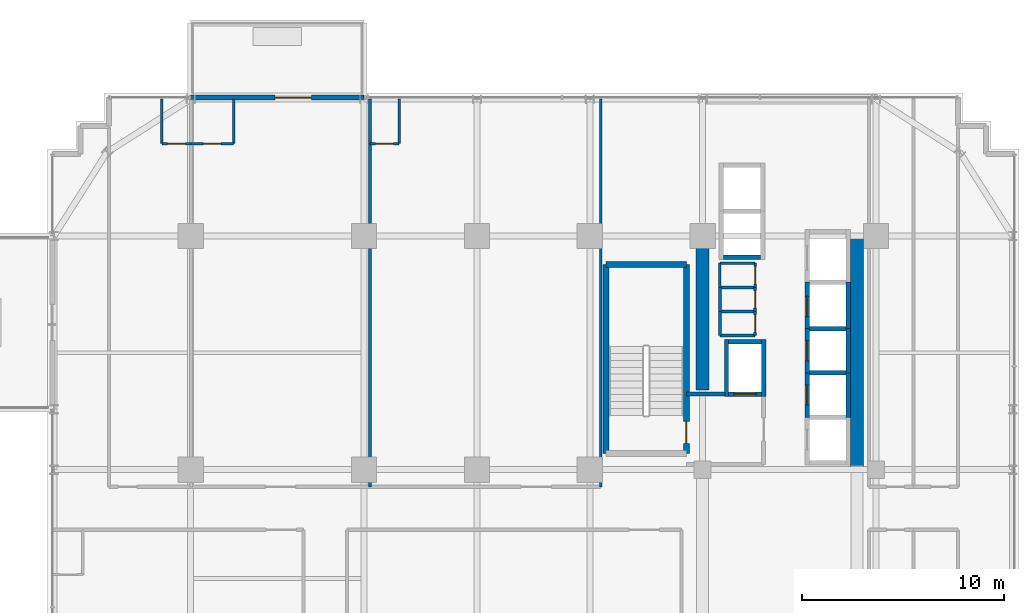
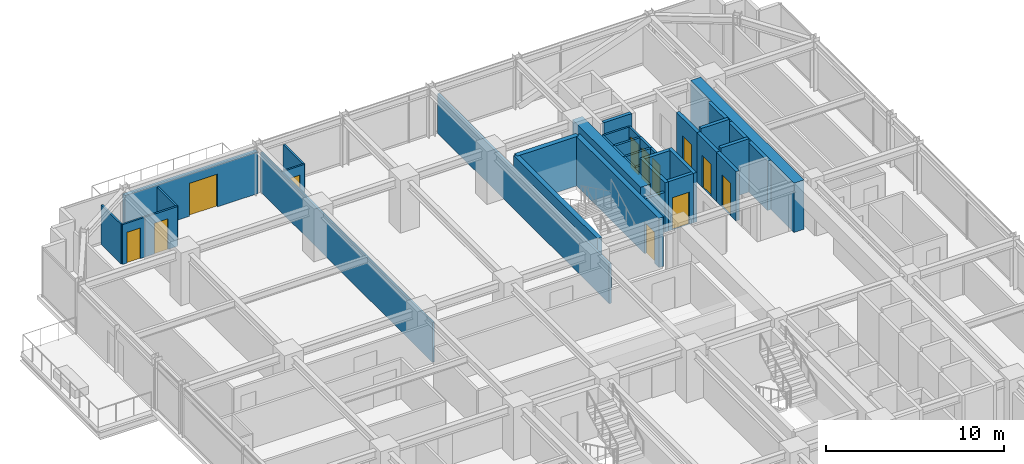
# One storey, part 30 of 35: 38 walls, 12 doors, 12 openings.
"""IFC4 building model written with IfcOpenShell, lengths in metres."""

from ifc_helpers import new_model, si_unit, direction, frame, frame_2d, origin, place, context, subcontext, project, spatial, rectangle, extrude, source, transform, mapped, material, layer, layer_set, type_object, element, fill, save


model = new_model("IFC4")

# Units and contexts
model_context = context("Model", 3, precision=1e-05, world=origin(), true_north=direction((0.0, 1.0)))
body_context = subcontext(model_context, "Body", "Model", "MODEL_VIEW")
ifc_project = project(units=[si_unit("LENGTHUNIT", "METRE"), si_unit("AREAUNIT", "SQUARE_METRE"), si_unit("VOLUMEUNIT", "CUBIC_METRE"), si_unit("PLANEANGLEUNIT", "RADIAN"), si_unit("MASSUNIT", "GRAM", prefix="KILO")], contexts=[model_context])

# Site, building, storey
site_placement = place(None, origin())
site = spatial("IfcSite", under=ifc_project, at=site_placement, CompositionType="ELEMENT")
building_placement = place(site_placement, origin())
building = spatial("IfcBuilding", under=site, at=building_placement, Name="Nahalor Promenade Grand Hotel", CompositionType="ELEMENT")
storey_placement = place(building_placement, frame((0.0, 0.0, 121.14990234375)))
storey = spatial("IfcBuildingStorey", under=building, at=storey_placement, Name="L30", CompositionType="ELEMENT", Elevation=121.14990234375)

# Walls
ifc_material_1 = material(Name="Concrete B-60 (C50/60)", Category="concrete")
ifc_layer_1 = layer(ifc_material_1, 0.64990234375)
ifc_layer_set_1 = layer_set([ifc_layer_1], Name="Concrete B-60 (C50/60)")
wall_type_1 = type_object("IfcWallType", Name="Wall-CoreShear-650", PredefinedType="SHEAR", material=ifc_layer_set_1)
shared_shape_1 = source(origin(), body_context, "Body", "SweptSolid", [
    extrude(rectangle(XDim=7.64990234375, YDim=0.64990234375, at=frame_2d((3.824951171875, 0.0))), origin(), (0.0, 0.0, 1.0), 3.380126953125),
])
wall_1_placement = place(storey_placement, frame((8.39990234375, 9.35009765625, 0.0), z_axis=(0.0, 0.0, 1.0), x_axis=(0.0, 1.0, 0.0)))
element("IfcWall", 1, at=wall_1_placement, inside=storey, type_object=wall_type_1, Name="CWALL-L30-NW", PredefinedType="SHEAR", context=body_context, shape_type="MappedRepresentation", body=[
    mapped(shared_shape_1, transform((0.0, 0.0, 0.0), scale=1.0)),
])
shared_shape_2 = source(origin(), body_context, "Body", "SweptSolid", [
    extrude(rectangle(XDim=11.60009765625, YDim=0.64990234375, at=frame_2d((5.800048828125, 0.0))), origin(), (0.0, 0.0, 1.0), 3.380126953125),
])
wall_2_placement = place(storey_placement, frame((16.050048828125, 5.39990234375, 0.0), z_axis=(0.0, 0.0, 1.0), x_axis=(0.0, 1.0, 0.0)))
element("IfcWall", 2, at=wall_2_placement, inside=storey, type_object=wall_type_1, Name="CWALL-L30-NE", PredefinedType="SHEAR", context=body_context, shape_type="MappedRepresentation", body=[
    mapped(shared_shape_2, transform((0.0, 0.0, 0.0), scale=1.0)),
])
ifc_material_2 = material(Name="Concrete B-50 (C40/50)", Category="concrete")
ifc_layer_2 = layer(ifc_material_2, 0.300048828125)
ifc_layer_set_2 = layer_set([ifc_layer_2], Name="Concrete B-50 (C40/50)")
wall_type_2 = type_object("IfcWallType", Name="Wall-ShaftShear-300", PredefinedType="SHEAR", material=ifc_layer_set_2)
shared_shape_3 = source(origin(), body_context, "Body", "SweptSolid", [
    extrude(rectangle(XDim=3.97998046875, YDim=0.300048828125, at=frame_2d((1.989990234375, 0.0))), origin(), (0.0, 0.0, 1.0), 3.380126953125),
])
wall_3_placement = place(storey_placement, frame((3.610107421875, 15.590087890625, 0.0), z_axis=(0.0, 0.0, 1.0), x_axis=(1.0, 0.0, 0.0)))
element("IfcWall", 3, at=wall_3_placement, inside=storey, type_object=wall_type_2, Name="L30 Exit Stair ST1 Shaft Wall N", PredefinedType="SHEAR", context=body_context, shape_type="MappedRepresentation", body=[
    mapped(shared_shape_3, transform((0.0, 0.0, 0.0), scale=1.0)),
])
shared_shape_4 = source(origin(), body_context, "Body", "SweptSolid", [
    extrude(rectangle(XDim=9.380126953125, YDim=0.300048828125, at=frame_2d((4.68994140625, 0.0))), origin(), (0.0, 0.0, 1.0), 3.380126953125),
])
wall_4_placement = place(storey_placement, frame((3.610107421875, 6.2099609375, 0.0), z_axis=(0.0, 0.0, 1.0), x_axis=(0.0, 1.0, 0.0)))
element("IfcWall", 4, at=wall_4_placement, inside=storey, type_object=wall_type_2, Name="L30 Exit Stair ST1 Shaft Wall W", PredefinedType="SHEAR", context=body_context, shape_type="MappedRepresentation", body=[
    mapped(shared_shape_4, transform((0.0, 0.0, 0.0), scale=1.0)),
])

# Wall, opening, door
wall_5_placement = place(storey_placement, frame((7.590087890625, 6.2099609375, 0.0), z_axis=(0.0, 0.0, 1.0), x_axis=(0.0, 1.0, 0.0)))
wall_5 = element("IfcWall", 5, at=wall_5_placement, inside=storey, type_object=wall_type_2, Name="L30 Exit Stair ST1 Shaft Wall E", PredefinedType="SHEAR", context=body_context, shape_type="MappedRepresentation", body=[
    mapped(shared_shape_4, transform((0.0, 0.0, 0.0), scale=1.0)),
])
opening_1_placement = place(wall_5_placement, frame((0.489990234375, 0.0, 0.0)))
opening_1 = element("IfcOpeningElement", 6, at=opening_1_placement, cuts=wall_5, Name="Opening D-ST1", PredefinedType="OPENING", context=body_context, shape_type="SweptSolid", body=[
    extrude(rectangle(XDim=1.10009765625, YDim=2.14990234375, at=frame_2d((0.550048828125, 1.074951171875))), frame((0.0, 0.159912109375, 0.0), z_axis=(0.0, -1.0, 0.0), x_axis=(1.0, 0.0, 0.0)), (0.0, 0.0, 1.0), 0.320068359375),
])
ifc_material_3 = material(Name="Steel S355JR", Category="steel")
door_type_1 = type_object("IfcDoorType", Name="Door-StairFire-1100", OperationType="NOTDEFINED", PredefinedType="DOOR", material=ifc_material_3)
shared_shape_5 = source(origin(), body_context, "Body", "SweptSolid", [
    extrude(rectangle(XDim=1.10009765625, YDim=2.14990234375, at=frame_2d((0.550048828125, 1.074951171875))), frame((0.0, 0.02490234375, 0.0), z_axis=(0.0, -1.0, 0.0), x_axis=(1.0, 0.0, 0.0)), (0.0, 0.0, 1.0), 0.050048828125),
])
door_1_placement = place(opening_1_placement, origin())
door_1 = element("IfcDoor", 7, at=door_1_placement, inside=storey, type_object=door_type_1, Name="DR-STAIR-ST1-L30", OperationType="SINGLE_SWING_LEFT", OverallHeight=2.14990234375, OverallWidth=1.10009765625, PredefinedType="DOOR", context=body_context, shape_type="MappedRepresentation", body=[
    mapped(shared_shape_5, transform((0.0, 0.0, 0.0), scale=1.0)),
])
fill(opening_1, door_1)

# Walls
ifc_layer_3 = layer(ifc_material_2, 0.219970703125)
ifc_layer_set_3 = layer_set([ifc_layer_3], Name="Concrete B-50 (C40/50)")
wall_type_3 = type_object("IfcWallType", Name="Wall-LiftShaft-220", PredefinedType="SHEAR", material=ifc_layer_set_3)
shared_shape_6 = source(origin(), body_context, "Body", "SweptSolid", [
    extrude(rectangle(XDim=1.820068359375, YDim=0.219970703125, at=frame_2d((0.91015625, 0.0))), origin(), (0.0, 0.0, 1.0), 3.650146484375),
])
for number, where, z_axis, x_axis, name in (
    (8, (13.68994140625, 10.199951171875, 0.0), (0.0, 0.0, 1.0), (1.0, 0.0, 0.0), "L30 Lift PL2 Hoistway Wall N"),
    (9, (13.68994140625, 12.39990234375, 0.0), (0.0, 0.0, 1.0), (1.0, 0.0, 0.0), "L30 Lift PL3 Hoistway Wall N"),
):
    element("IfcWall", number, at=place(storey_placement, frame(where, z_axis=z_axis, x_axis=x_axis)), inside=storey, type_object=wall_type_3, Name=name, PredefinedType="SHEAR", context=body_context, shape_type="MappedRepresentation", body=[
        mapped(shared_shape_6, transform((0.0, 0.0, 0.0), scale=1.0)),
    ])
shared_shape_7 = source(origin(), body_context, "Body", "SweptSolid", [
    extrude(rectangle(XDim=1.820068359375, YDim=0.219970703125, at=frame_2d((0.91015625, 0.0))), origin(), (0.0, 0.0, 1.0), 3.380126953125),
])
wall_6_placement = place(storey_placement, frame((9.43994140625, 15.949951171875, 0.0), z_axis=(0.0, 0.0, 1.0), x_axis=(1.0, 0.0, 0.0)))
element("IfcWall", 10, at=wall_6_placement, inside=storey, type_object=wall_type_3, Name="L30 Lift OB1 Hoistway Wall S", PredefinedType="SHEAR", context=body_context, shape_type="MappedRepresentation", body=[
    mapped(shared_shape_7, transform((0.0, 0.0, 0.0), scale=1.0)),
])

# Wall, opening, door
shared_shape_8 = source(origin(), body_context, "Body", "SweptSolid", [
    extrude(rectangle(XDim=2.199951171875, YDim=0.219970703125, at=frame_2d((1.10009765625, 0.0))), origin(), (0.0, 0.0, 1.0), 3.380126953125),
])
wall_7_placement = place(storey_placement, frame((13.580078125, 8.0, 0.0), z_axis=(0.0, 0.0, 1.0), x_axis=(0.0, 1.0, 0.0)))
wall_7 = element("IfcWall", 11, at=wall_7_placement, inside=storey, type_object=wall_type_3, Name="L30 Lift PL2 Hoistway Wall W", PredefinedType="SHEAR", context=body_context, shape_type="MappedRepresentation", body=[
    mapped(shared_shape_8, transform((0.0, 0.0, 0.0), scale=1.0)),
])
opening_2_placement = place(wall_7_placement, frame((0.60009765625, 0.0, 0.0)))
opening_2 = element("IfcOpeningElement", 12, at=opening_2_placement, cuts=wall_7, Name="Opening LD-01", PredefinedType="OPENING", context=body_context, shape_type="SweptSolid", body=[
    extrude(rectangle(XDim=1.0, YDim=2.199951171875, at=frame_2d((0.5, 1.10009765625))), frame((0.0, 0.119873046875, 0.0), z_axis=(0.0, -1.0, 0.0), x_axis=(1.0, 0.0, 0.0)), (0.0, 0.0, 1.0), 0.239990234375),
])
door_type_2 = type_object("IfcDoorType", Name="Door-LiftLanding-1000", OperationType="DOUBLE_DOOR_SLIDING", PredefinedType="DOOR", material=ifc_material_3)
shared_shape_9 = source(origin(), body_context, "Body", "SweptSolid", [
    extrude(rectangle(XDim=1.0, YDim=2.199951171875, at=frame_2d((0.5, 1.10009765625))), frame((0.0, 0.02490234375, 0.0), z_axis=(0.0, -1.0, 0.0), x_axis=(1.0, 0.0, 0.0)), (0.0, 0.0, 1.0), 0.050048828125),
])
door_2_placement = place(opening_2_placement, origin())
door_2 = element("IfcDoor", 13, at=door_2_placement, inside=storey, type_object=door_type_2, Name="DR-LIFT-PL2-L30", OperationType="DOUBLE_DOOR_SLIDING", OverallHeight=2.199951171875, OverallWidth=1.0, PredefinedType="DOOR", context=body_context, shape_type="MappedRepresentation", body=[
    mapped(shared_shape_9, transform((0.0, 0.0, 0.0), scale=1.0)),
])
fill(opening_2, door_2)

# Wall
wall_8_placement = place(storey_placement, frame((15.6201171875, 8.0, 0.0), z_axis=(0.0, 0.0, 1.0), x_axis=(0.0, 1.0, 0.0)))
element("IfcWall", 14, at=wall_8_placement, inside=storey, type_object=wall_type_3, Name="L30 Lift PL2 Hoistway Wall E", PredefinedType="SHEAR", context=body_context, shape_type="MappedRepresentation", body=[
    mapped(shared_shape_8, transform((0.0, 0.0, 0.0), scale=1.0)),
])

# Wall, opening, door
wall_9_placement = place(storey_placement, frame((13.580078125, 10.199951171875, 0.0), z_axis=(0.0, 0.0, 1.0), x_axis=(0.0, 1.0, 0.0)))
wall_9 = element("IfcWall", 15, at=wall_9_placement, inside=storey, type_object=wall_type_3, Name="L30 Lift PL3 Hoistway Wall W", PredefinedType="SHEAR", context=body_context, shape_type="MappedRepresentation", body=[
    mapped(shared_shape_8, transform((0.0, 0.0, 0.0), scale=1.0)),
])
opening_3_placement = place(wall_9_placement, frame((0.60009765625, 0.0, 0.0)))
opening_3 = element("IfcOpeningElement", 16, at=opening_3_placement, cuts=wall_9, Name="Opening LD-01", PredefinedType="OPENING", context=body_context, shape_type="SweptSolid", body=[
    extrude(rectangle(XDim=1.0, YDim=2.199951171875, at=frame_2d((0.5, 1.10009765625))), frame((0.0, 0.119873046875, 0.0), z_axis=(0.0, -1.0, 0.0), x_axis=(1.0, 0.0, 0.0)), (0.0, 0.0, 1.0), 0.239990234375),
])
door_3_placement = place(opening_3_placement, origin())
door_3 = element("IfcDoor", 17, at=door_3_placement, inside=storey, type_object=door_type_2, Name="DR-LIFT-PL3-L30", OperationType="DOUBLE_DOOR_SLIDING", OverallHeight=2.199951171875, OverallWidth=1.0, PredefinedType="DOOR", context=body_context, shape_type="MappedRepresentation", body=[
    mapped(shared_shape_9, transform((0.0, 0.0, 0.0), scale=1.0)),
])
fill(opening_3, door_3)

# Wall
wall_10_placement = place(storey_placement, frame((15.6201171875, 10.199951171875, 0.0), z_axis=(0.0, 0.0, 1.0), x_axis=(0.0, 1.0, 0.0)))
element("IfcWall", 18, at=wall_10_placement, inside=storey, type_object=wall_type_3, Name="L30 Lift PL3 Hoistway Wall E", PredefinedType="SHEAR", context=body_context, shape_type="MappedRepresentation", body=[
    mapped(shared_shape_8, transform((0.0, 0.0, 0.0), scale=1.0)),
])

# Wall, opening, door
shared_shape_10 = source(origin(), body_context, "Body", "SweptSolid", [
    extrude(rectangle(XDim=2.300048828125, YDim=0.219970703125, at=frame_2d((1.14990234375, 0.0))), origin(), (0.0, 0.0, 1.0), 3.380126953125),
])
wall_11_placement = place(storey_placement, frame((13.580078125, 12.39990234375, 0.0), z_axis=(0.0, 0.0, 1.0), x_axis=(0.0, 1.0, 0.0)))
wall_11 = element("IfcWall", 19, at=wall_11_placement, inside=storey, type_object=wall_type_3, Name="L30 Lift PL4 Hoistway Wall W", PredefinedType="SHEAR", context=body_context, shape_type="MappedRepresentation", body=[
    mapped(shared_shape_10, transform((0.0, 0.0, 0.0), scale=1.0)),
])
opening_4_placement = place(wall_11_placement, frame((0.60009765625, 0.0, 0.0)))
opening_4 = element("IfcOpeningElement", 20, at=opening_4_placement, cuts=wall_11, Name="Opening LD-01", PredefinedType="OPENING", context=body_context, shape_type="SweptSolid", body=[
    extrude(rectangle(XDim=1.0, YDim=2.199951171875, at=frame_2d((0.5, 1.10009765625))), frame((0.0, 0.119873046875, 0.0), z_axis=(0.0, -1.0, 0.0), x_axis=(1.0, 0.0, 0.0)), (0.0, 0.0, 1.0), 0.239990234375),
])
door_4_placement = place(opening_4_placement, origin())
door_4 = element("IfcDoor", 21, at=door_4_placement, inside=storey, type_object=door_type_2, Name="DR-LIFT-PL4-L30", OperationType="DOUBLE_DOOR_SLIDING", OverallHeight=2.199951171875, OverallWidth=1.0, PredefinedType="DOOR", context=body_context, shape_type="MappedRepresentation", body=[
    mapped(shared_shape_9, transform((0.0, 0.0, 0.0), scale=1.0)),
])
fill(opening_4, door_4)

# Walls
wall_12_placement = place(storey_placement, frame((15.6201171875, 12.39990234375, 0.0), z_axis=(0.0, 0.0, 1.0), x_axis=(0.0, 1.0, 0.0)))
element("IfcWall", 22, at=wall_12_placement, inside=storey, type_object=wall_type_3, Name="L30 Lift PL4 Hoistway Wall E", PredefinedType="SHEAR", context=body_context, shape_type="MappedRepresentation", body=[
    mapped(shared_shape_10, transform((0.0, 0.0, 0.0), scale=1.0)),
])
shared_shape_11 = source(origin(), body_context, "Body", "SweptSolid", [
    extrude(rectangle(XDim=2.820068359375, YDim=0.219970703125, at=frame_2d((1.41015625, 0.0))), origin(), (0.0, 0.0, 1.0), 3.380126953125),
])
for number, where, z_axis, x_axis, name in (
    (23, (9.580078125, 9.0400390625, 0.0), (0.0, 0.0, 1.0), (0.0, 1.0, 0.0), "L30 Lift FL1 Hoistway Wall W"),
    (24, (11.419921875, 9.0400390625, 0.0), (0.0, 0.0, 1.0), (0.0, 1.0, 0.0), "L30 Lift FL1 Hoistway Wall E"),
):
    element("IfcWall", number, at=place(storey_placement, frame(where, z_axis=z_axis, x_axis=x_axis)), inside=storey, type_object=wall_type_3, Name=name, PredefinedType="SHEAR", context=body_context, shape_type="MappedRepresentation", body=[
        mapped(shared_shape_11, transform((0.0, 0.0, 0.0), scale=1.0)),
    ])

# Wall, opening, door
shared_shape_12 = source(origin(), body_context, "Body", "SweptSolid", [
    extrude(rectangle(XDim=1.6201171875, YDim=0.219970703125, at=frame_2d((0.81005859375, 0.0))), origin(), (0.0, 0.0, 1.0), 3.380126953125),
])
wall_13_placement = place(storey_placement, frame((9.68994140625, 9.14990234375, 0.0), z_axis=(0.0, 0.0, 1.0), x_axis=(1.0, 0.0, 0.0)))
wall_13 = element("IfcWall", 25, at=wall_13_placement, inside=storey, type_object=wall_type_3, Name="L30 Lift FL1 Hoistway Wall S", PredefinedType="SHEAR", context=body_context, shape_type="MappedRepresentation", body=[
    mapped(shared_shape_12, transform((0.0, 0.0, 0.0), scale=1.0)),
])
opening_5_placement = place(wall_13_placement, frame((0.260009765625, 0.0, 0.0)))
opening_5 = element("IfcOpeningElement", 26, at=opening_5_placement, cuts=wall_13, Name="Opening LD-02", PredefinedType="OPENING", context=body_context, shape_type="SweptSolid", body=[
    extrude(rectangle(XDim=1.10009765625, YDim=2.199951171875, at=frame_2d((0.550048828125, 1.10009765625))), frame((0.0, 0.119873046875, 0.0), z_axis=(0.0, -1.0, 0.0), x_axis=(1.0, 0.0, 0.0)), (0.0, 0.0, 1.0), 0.239990234375),
])
door_type_3 = type_object("IfcDoorType", Name="Door-LiftFF-1100", OperationType="DOUBLE_DOOR_SLIDING", PredefinedType="DOOR", material=ifc_material_3)
shared_shape_13 = source(origin(), body_context, "Body", "SweptSolid", [
    extrude(rectangle(XDim=1.10009765625, YDim=2.199951171875, at=frame_2d((0.550048828125, 1.10009765625))), frame((0.0, 0.02490234375, 0.0), z_axis=(0.0, -1.0, 0.0), x_axis=(1.0, 0.0, 0.0)), (0.0, 0.0, 1.0), 0.050048828125),
])
door_5_placement = place(opening_5_placement, frame((1.10009765625, 0.0, 0.0), z_axis=(0.0, 0.0, 1.0), x_axis=(-1.0, 0.0, 0.0)))
door_5 = element("IfcDoor", 27, at=door_5_placement, inside=storey, type_object=door_type_3, Name="DR-LIFT-FL1-L30", OperationType="DOUBLE_DOOR_SLIDING", OverallHeight=2.199951171875, OverallWidth=1.10009765625, PredefinedType="DOOR", context=body_context, shape_type="MappedRepresentation", body=[
    mapped(shared_shape_13, transform((0.0, 0.0, 0.0), scale=1.0)),
])
fill(opening_5, door_5)

# Wall
wall_14_placement = place(storey_placement, frame((9.68994140625, 11.75, 0.0), z_axis=(0.0, 0.0, 1.0), x_axis=(1.0, 0.0, 0.0)))
element("IfcWall", 28, at=wall_14_placement, inside=storey, type_object=wall_type_3, Name="L30 Lift FL1 Hoistway Wall N", PredefinedType="SHEAR", context=body_context, shape_type="MappedRepresentation", body=[
    mapped(shared_shape_12, transform((0.0, 0.0, 0.0), scale=1.0)),
])

# Wall, opening, door
ifc_material_4 = material(Name="Concrete B-40 (C32/40)", Category="concrete")
ifc_layer_4 = layer(ifc_material_4, 0.260009765625)
ifc_layer_set_4 = layer_set([ifc_layer_4], Name="Concrete B-40 (C32/40)")
wall_type_4 = type_object("IfcWallType", Name="Wall-BalconyWall-260", PredefinedType="STANDARD", material=ifc_layer_set_4)
shared_shape_14 = source(origin(), body_context, "Body", "SweptSolid", [
    extrude(rectangle(XDim=8.60009765625, YDim=0.260009765625, at=frame_2d((4.300048828125, 0.0))), origin(), (0.0, 0.0, 1.0), 2.860107421875),
])
wall_15_placement = place(storey_placement, frame((-17.0, 23.860107421875, 0.0), z_axis=(0.0, 0.0, 1.0), x_axis=(1.0, 0.0, 0.0)))
wall_15 = element("IfcWall", 29, at=wall_15_placement, inside=storey, type_object=wall_type_4, Name="W-L30-BALC-N-2", PredefinedType="STANDARD", context=body_context, shape_type="MappedRepresentation", body=[
    mapped(shared_shape_14, transform((0.0, 0.0, 0.0), scale=1.0)),
])
opening_6_placement = place(wall_15_placement, frame((4.18798828125, 0.0, 0.0)))
opening_6 = element("IfcOpeningElement", 30, at=opening_6_placement, cuts=wall_15, Name="Opening D-BC1", PredefinedType="OPENING", context=body_context, shape_type="SweptSolid", body=[
    extrude(rectangle(XDim=1.800048828125, YDim=2.25, at=frame_2d((0.89990234375, 1.125))), frame((0.0, 0.139892578125, 0.0), z_axis=(0.0, -1.0, 0.0), x_axis=(1.0, 0.0, 0.0)), (0.0, 0.0, 1.0), 0.280029296875),
])
ifc_material_5 = material(Name="Anodised Bronze Aluminium EN AW-6063 T6", Category="aluminium")
door_type_4 = type_object("IfcDoorType", Name="Door-BalconySlide-1800", OperationType="DOUBLE_DOOR_SLIDING", PredefinedType="DOOR", material=ifc_material_5)
shared_shape_15 = source(origin(), body_context, "Body", "SweptSolid", [
    extrude(rectangle(XDim=1.800048828125, YDim=2.25, at=frame_2d((0.89990234375, 1.125))), frame((0.0, 0.02490234375, 0.0), z_axis=(0.0, -1.0, 0.0), x_axis=(1.0, 0.0, 0.0)), (0.0, 0.0, 1.0), 0.050048828125),
])
door_6_placement = place(opening_6_placement, origin())
door_6 = element("IfcDoor", 31, at=door_6_placement, inside=storey, type_object=door_type_4, Name="DR-L30-BALC-N-2", OperationType="DOUBLE_DOOR_SLIDING", OverallHeight=2.25, OverallWidth=1.800048828125, PredefinedType="DOOR", context=body_context, shape_type="MappedRepresentation", body=[
    mapped(shared_shape_15, transform((0.0, 0.0, 0.0), scale=1.0)),
])
fill(opening_6, door_6)

# Walls
ifc_layer_5 = layer(ifc_material_4, 0.199951171875)
ifc_layer_set_5 = layer_set([ifc_layer_5], Name="Concrete B-40 (C32/40)")
wall_type_5 = type_object("IfcWallType", Name="Wall-PartFire-200", PredefinedType="PARTITIONING", material=ifc_layer_set_5)
shared_shape_16 = source(origin(), body_context, "Body", "SweptSolid", [
    extrude(rectangle(XDim=1.89990234375, YDim=0.199951171875, at=frame_2d((0.949951171875, 0.0))), origin(), (0.0, 0.0, 1.0), 2.72021484375),
])
wall_16_placement = place(storey_placement, frame((7.60009765625, 9.14990234375, 0.0), z_axis=(0.0, 0.0, 1.0), x_axis=(1.0, 0.0, 0.0)))
element("IfcWall", 32, at=wall_16_placement, inside=storey, type_object=wall_type_5, Name="W-L30-FF1-N", PredefinedType="PARTITIONING", context=body_context, shape_type="MappedRepresentation", body=[
    mapped(shared_shape_16, transform((0.0, 0.0, 0.0), scale=1.0)),
])
ifc_material_6 = material(Name="Acoustic Mineral Gypsum", Category="gypsum")
ifc_layer_6 = layer(ifc_material_6, 0.14990234375)
ifc_layer_set_6 = layer_set([ifc_layer_6], Name="Acoustic Mineral Gypsum")
wall_type_6 = type_object("IfcWallType", Name="Wall-PartService-150", PredefinedType="PARTITIONING", material=ifc_layer_set_6)
shared_shape_17 = source(origin(), body_context, "Body", "SweptSolid", [
    extrude(rectangle(XDim=1.75, YDim=0.14990234375, at=frame_2d((0.875, 0.0))), origin(), (0.0, 0.0, 1.0), 2.72021484375),
])
for number, where, z_axis, x_axis, name in (
    (33, (9.25, 12.050048828125, 0.0), (0.0, 0.0, 1.0), (1.0, 0.0, 0.0), "W-L30-CK3A-S"),
    (34, (9.25, 13.25, 0.0), (0.0, 0.0, 1.0), (1.0, 0.0, 0.0), "W-L30-CK3A-N"),
    (35, (9.25, 14.449951171875, 0.0), (0.0, 0.0, 1.0), (1.0, 0.0, 0.0), "W-L30-CK3B-N"),
):
    element("IfcWall", number, at=place(storey_placement, frame(where, z_axis=z_axis, x_axis=x_axis)), inside=storey, type_object=wall_type_6, Name=name, PredefinedType="PARTITIONING", context=body_context, shape_type="MappedRepresentation", body=[
        mapped(shared_shape_17, transform((0.0, 0.0, 0.0), scale=1.0)),
    ])
ifc_layer_7 = layer(ifc_material_6, 0.139892578125)
ifc_layer_set_7 = layer_set([ifc_layer_7], Name="Acoustic Mineral Gypsum")
wall_type_7 = type_object("IfcWallType", Name="Wall-PartSuite-140", PredefinedType="PARTITIONING", material=ifc_layer_set_7)
shared_shape_18 = source(origin(), body_context, "Body", "SweptSolid", [
    extrude(rectangle(XDim=19.25, YDim=0.139892578125, at=frame_2d((9.625, 0.0))), origin(), (0.0, 0.0, 1.0), 2.72021484375),
])
for number, where, z_axis, x_axis, name in (
    (36, (3.340087890625, 4.550048828125, 0.0), (0.0, 0.0, 1.0), (0.0, 1.0, 0.0), "W-L30-NW-ENDE"),
    (37, (-8.110107421875, 4.550048828125, 0.0), (0.0, 0.0, 1.0), (0.0, 1.0, 0.0), "W-L30-NP-2"),
):
    element("IfcWall", number, at=place(storey_placement, frame(where, z_axis=z_axis, x_axis=x_axis)), inside=storey, type_object=wall_type_7, Name=name, PredefinedType="PARTITIONING", context=body_context, shape_type="MappedRepresentation", body=[
        mapped(shared_shape_18, transform((0.0, 0.0, 0.0), scale=1.0)),
    ])

# Wall, opening, door
ifc_layer_8 = layer(ifc_material_6, 0.1201171875)
ifc_layer_set_8 = layer_set([ifc_layer_8], Name="Acoustic Mineral Gypsum")
wall_type_8 = type_object("IfcWallType", Name="Wall-PartBath-120", PredefinedType="PARTITIONING", material=ifc_layer_set_8)
shared_shape_19 = source(origin(), body_context, "Body", "SweptSolid", [
    extrude(rectangle(XDim=1.449951171875, YDim=0.1201171875, at=frame_2d((0.72509765625, 0.0))), origin(), (0.0, 0.0, 1.0), 2.72021484375),
])
wall_17_placement = place(storey_placement, frame((-18.43505859375, 21.580078125, 0.0), z_axis=(0.0, 0.0, 1.0), x_axis=(1.0, 0.0, 0.0)))
wall_17 = element("IfcWall", 38, at=wall_17_placement, inside=storey, type_object=wall_type_8, Name="W-L30-N1-BH", PredefinedType="PARTITIONING", context=body_context, shape_type="MappedRepresentation", body=[
    mapped(shared_shape_19, transform((0.0, 0.0, 0.0), scale=1.0)),
])
opening_7_placement = place(wall_17_placement, frame((0.284912109375, 0.0, 0.0)))
opening_7 = element("IfcOpeningElement", 39, at=opening_7_placement, cuts=wall_17, Name="Opening D-03", PredefinedType="OPENING", context=body_context, shape_type="SweptSolid", body=[
    extrude(rectangle(XDim=0.8798828125, YDim=2.10009765625, at=frame_2d((0.43994140625, 1.050048828125))), frame((0.0, 0.070068359375, 0.0), z_axis=(0.0, -1.0, 0.0), x_axis=(1.0, 0.0, 0.0)), (0.0, 0.0, 1.0), 0.14013671875),
])
ifc_material_7 = material(Name="Fire-Rated Timber Composite", Category="wood")
door_type_5 = type_object("IfcDoorType", Name="Door-BathSwing-880", OperationType="NOTDEFINED", PredefinedType="DOOR", material=ifc_material_7)
shared_shape_20 = source(origin(), body_context, "Body", "SweptSolid", [
    extrude(rectangle(XDim=0.8798828125, YDim=2.10009765625, at=frame_2d((0.43994140625, 1.050048828125))), frame((0.0, 0.02490234375, 0.0), z_axis=(0.0, -1.0, 0.0), x_axis=(1.0, 0.0, 0.0)), (0.0, 0.0, 1.0), 0.050048828125),
])
door_7_placement = place(opening_7_placement, origin())
door_7 = element("IfcDoor", 40, at=door_7_placement, inside=storey, type_object=door_type_5, Name="DR-L30-N1-BATH", OperationType="SINGLE_SWING_RIGHT", OverallHeight=2.10009765625, OverallWidth=0.8798828125, PredefinedType="DOOR", context=body_context, shape_type="MappedRepresentation", body=[
    mapped(shared_shape_20, transform((0.0, 0.0, 0.0), scale=1.0)),
])
fill(opening_7, door_7)

# Walls
shared_shape_21 = source(origin(), body_context, "Body", "SweptSolid", [
    extrude(rectangle(XDim=2.219970703125, YDim=0.1201171875, at=frame_2d((1.10986328125, 0.0))), origin(), (0.0, 0.0, 1.0), 2.72021484375),
])
for number, where, z_axis, x_axis, name in (
    (41, (-18.43505859375, 21.580078125, 0.0), (0.0, 0.0, 1.0), (0.0, 1.0, 0.0), "W-L30-N1-BV"),
    (42, (-14.875, 21.580078125, 0.0), (0.0, 0.0, 1.0), (0.0, 1.0, 0.0), "W-L30-N2-BV"),
    (43, (-6.659912109375, 21.580078125, 0.0), (0.0, 0.0, 1.0), (0.0, 1.0, 0.0), "W-L30-N3-BV"),
):
    element("IfcWall", number, at=place(storey_placement, frame(where, z_axis=z_axis, x_axis=x_axis)), inside=storey, type_object=wall_type_8, Name=name, PredefinedType="PARTITIONING", context=body_context, shape_type="MappedRepresentation", body=[
        mapped(shared_shape_21, transform((0.0, 0.0, 0.0), scale=1.0)),
    ])

# Wall, opening, door
shared_shape_22 = source(origin(), body_context, "Body", "SweptSolid", [
    extrude(rectangle(XDim=1.4501953125, YDim=0.1201171875, at=frame_2d((0.72509765625, 0.0))), origin(), (0.0, 0.0, 1.0), 2.72021484375),
])
wall_18_placement = place(storey_placement, frame((-8.110107421875, 21.580078125, 0.0), z_axis=(0.0, 0.0, 1.0), x_axis=(1.0, 0.0, 0.0)))
wall_18 = element("IfcWall", 44, at=wall_18_placement, inside=storey, type_object=wall_type_8, Name="W-L30-N3-BH", PredefinedType="PARTITIONING", context=body_context, shape_type="MappedRepresentation", body=[
    mapped(shared_shape_22, transform((0.0, 0.0, 0.0), scale=1.0)),
])
opening_8_placement = place(wall_18_placement, frame((0.284912109375, 0.0, 0.0)))
opening_8 = element("IfcOpeningElement", 45, at=opening_8_placement, cuts=wall_18, Name="Opening D-03", PredefinedType="OPENING", context=body_context, shape_type="SweptSolid", body=[
    extrude(rectangle(XDim=0.8798828125, YDim=2.10009765625, at=frame_2d((0.43994140625, 1.050048828125))), frame((0.0, 0.070068359375, 0.0), z_axis=(0.0, -1.0, 0.0), x_axis=(1.0, 0.0, 0.0)), (0.0, 0.0, 1.0), 0.14013671875),
])
door_8_placement = place(opening_8_placement, origin())
door_8 = element("IfcDoor", 46, at=door_8_placement, inside=storey, type_object=door_type_5, Name="DR-L30-N3-BATH", OperationType="SINGLE_SWING_LEFT", OverallHeight=2.10009765625, OverallWidth=0.8798828125, PredefinedType="DOOR", context=body_context, shape_type="MappedRepresentation", body=[
    mapped(shared_shape_20, transform((0.0, 0.0, 0.0), scale=1.0)),
])
fill(opening_8, door_8)

shared_shape_23 = source(origin(), body_context, "Body", "SweptSolid", [
    extrude(rectangle(XDim=2.110107421875, YDim=0.1201171875, at=frame_2d((1.05517578125, 0.0))), origin(), (0.0, 0.0, 1.0), 2.72021484375),
])
wall_19_placement = place(storey_placement, frame((-16.985107421875, 21.580078125, 0.0), z_axis=(0.0, 0.0, 1.0), x_axis=(1.0, 0.0, 0.0)))
wall_19 = element("IfcWall", 47, at=wall_19_placement, inside=storey, type_object=wall_type_8, Name="W-L30-N2-BH", PredefinedType="PARTITIONING", context=body_context, shape_type="MappedRepresentation", body=[
    mapped(shared_shape_23, transform((0.0, 0.0, 0.0), scale=1.0)),
])
opening_9_placement = place(wall_19_placement, frame((0.614990234375, 0.0, 0.0)))
opening_9 = element("IfcOpeningElement", 48, at=opening_9_placement, cuts=wall_19, Name="Opening D-03", PredefinedType="OPENING", context=body_context, shape_type="SweptSolid", body=[
    extrude(rectangle(XDim=0.8798828125, YDim=2.10009765625, at=frame_2d((0.43994140625, 1.050048828125))), frame((0.0, 0.070068359375, 0.0), z_axis=(0.0, -1.0, 0.0), x_axis=(1.0, 0.0, 0.0)), (0.0, 0.0, 1.0), 0.14013671875),
])
door_9_placement = place(opening_9_placement, origin())
door_9 = element("IfcDoor", 49, at=door_9_placement, inside=storey, type_object=door_type_5, Name="DR-L30-N2-BATH", OperationType="SINGLE_SWING_RIGHT", OverallHeight=2.10009765625, OverallWidth=0.8798828125, PredefinedType="DOOR", context=body_context, shape_type="MappedRepresentation", body=[
    mapped(shared_shape_20, transform((0.0, 0.0, 0.0), scale=1.0)),
])
fill(opening_9, door_9)

# Wall
shared_shape_24 = source(origin(), body_context, "Body", "SweptSolid", [
    extrude(rectangle(XDim=1.199951171875, YDim=0.14990234375, at=frame_2d((0.60009765625, 0.0))), origin(), (0.0, 0.0, 1.0), 2.72021484375),
])
wall_20_placement = place(storey_placement, frame((9.25, 12.050048828125, 0.0), z_axis=(0.0, 0.0, 1.0), x_axis=(0.0, 1.0, 0.0)))
element("IfcWall", 50, at=wall_20_placement, inside=storey, type_object=wall_type_6, Name="W-L30-CK3A-W", PredefinedType="PARTITIONING", context=body_context, shape_type="MappedRepresentation", body=[
    mapped(shared_shape_24, transform((0.0, 0.0, 0.0), scale=1.0)),
])

# Wall, opening, door
wall_21_placement = place(storey_placement, frame((11.0, 12.050048828125, 0.0), z_axis=(0.0, 0.0, 1.0), x_axis=(0.0, 1.0, 0.0)))
wall_21 = element("IfcWall", 51, at=wall_21_placement, inside=storey, type_object=wall_type_6, Name="W-L30-CK3A-E", PredefinedType="PARTITIONING", context=body_context, shape_type="MappedRepresentation", body=[
    mapped(shared_shape_24, transform((0.0, 0.0, 0.0), scale=1.0)),
])
opening_10_placement = place(wall_21_placement, frame((0.159912109375, 0.0, 0.0)))
opening_10 = element("IfcOpeningElement", 52, at=opening_10_placement, cuts=wall_21, Name="Opening D-03", PredefinedType="OPENING", context=body_context, shape_type="SweptSolid", body=[
    extrude(rectangle(XDim=0.8798828125, YDim=2.10009765625, at=frame_2d((0.43994140625, 1.050048828125))), frame((0.0, 0.0849609375, 0.0), z_axis=(0.0, -1.0, 0.0), x_axis=(1.0, 0.0, 0.0)), (0.0, 0.0, 1.0), 0.169921875),
])
door_10_placement = place(opening_10_placement, origin())
door_10 = element("IfcDoor", 53, at=door_10_placement, inside=storey, type_object=door_type_5, Name="DR-L30-CK3A", OperationType="SINGLE_SWING_LEFT", OverallHeight=2.10009765625, OverallWidth=0.8798828125, PredefinedType="DOOR", context=body_context, shape_type="MappedRepresentation", body=[
    mapped(shared_shape_20, transform((0.0, 0.0, 0.0), scale=1.0)),
])
fill(opening_10, door_10)

# Wall
wall_22_placement = place(storey_placement, frame((9.25, 13.25, 0.0), z_axis=(0.0, 0.0, 1.0), x_axis=(0.0, 1.0, 0.0)))
element("IfcWall", 54, at=wall_22_placement, inside=storey, type_object=wall_type_6, Name="W-L30-CK3B-W", PredefinedType="PARTITIONING", context=body_context, shape_type="MappedRepresentation", body=[
    mapped(shared_shape_24, transform((0.0, 0.0, 0.0), scale=1.0)),
])

# Wall, opening, door
wall_23_placement = place(storey_placement, frame((11.0, 13.25, 0.0), z_axis=(0.0, 0.0, 1.0), x_axis=(0.0, 1.0, 0.0)))
wall_23 = element("IfcWall", 55, at=wall_23_placement, inside=storey, type_object=wall_type_6, Name="W-L30-CK3B-E", PredefinedType="PARTITIONING", context=body_context, shape_type="MappedRepresentation", body=[
    mapped(shared_shape_24, transform((0.0, 0.0, 0.0), scale=1.0)),
])
opening_11_placement = place(wall_23_placement, frame((0.159912109375, 0.0, 0.0)))
opening_11 = element("IfcOpeningElement", 56, at=opening_11_placement, cuts=wall_23, Name="Opening D-03", PredefinedType="OPENING", context=body_context, shape_type="SweptSolid", body=[
    extrude(rectangle(XDim=0.8798828125, YDim=2.10009765625, at=frame_2d((0.43994140625, 1.050048828125))), frame((0.0, 0.0849609375, 0.0), z_axis=(0.0, -1.0, 0.0), x_axis=(1.0, 0.0, 0.0)), (0.0, 0.0, 1.0), 0.169921875),
])
door_11_placement = place(opening_11_placement, origin())
door_11 = element("IfcDoor", 57, at=door_11_placement, inside=storey, type_object=door_type_5, Name="DR-L30-CK3B", OperationType="SINGLE_SWING_RIGHT", OverallHeight=2.10009765625, OverallWidth=0.8798828125, PredefinedType="DOOR", context=body_context, shape_type="MappedRepresentation", body=[
    mapped(shared_shape_20, transform((0.0, 0.0, 0.0), scale=1.0)),
])
fill(opening_11, door_11)

# Walls
shared_shape_25 = source(origin(), body_context, "Body", "SweptSolid", [
    extrude(rectangle(XDim=1.75, YDim=0.1201171875, at=frame_2d((0.875, 0.0))), origin(), (0.0, 0.0, 1.0), 2.72021484375),
])
wall_24_placement = place(storey_placement, frame((9.25, 15.64990234375, 0.0), z_axis=(0.0, 0.0, 1.0), x_axis=(1.0, 0.0, 0.0)))
element("IfcWall", 58, at=wall_24_placement, inside=storey, type_object=wall_type_8, Name="W-L30-CK3C-N", PredefinedType="PARTITIONING", context=body_context, shape_type="MappedRepresentation", body=[
    mapped(shared_shape_25, transform((0.0, 0.0, 0.0), scale=1.0)),
])
shared_shape_26 = source(origin(), body_context, "Body", "SweptSolid", [
    extrude(rectangle(XDim=1.199951171875, YDim=0.1201171875, at=frame_2d((0.60009765625, 0.0))), origin(), (0.0, 0.0, 1.0), 2.72021484375),
])
wall_25_placement = place(storey_placement, frame((9.25, 14.449951171875, 0.0), z_axis=(0.0, 0.0, 1.0), x_axis=(0.0, 1.0, 0.0)))
element("IfcWall", 59, at=wall_25_placement, inside=storey, type_object=wall_type_8, Name="W-L30-CK3C-W", PredefinedType="PARTITIONING", context=body_context, shape_type="MappedRepresentation", body=[
    mapped(shared_shape_26, transform((0.0, 0.0, 0.0), scale=1.0)),
])

# Wall, opening, door
wall_26_placement = place(storey_placement, frame((11.0, 14.449951171875, 0.0), z_axis=(0.0, 0.0, 1.0), x_axis=(0.0, 1.0, 0.0)))
wall_26 = element("IfcWall", 60, at=wall_26_placement, inside=storey, type_object=wall_type_8, Name="W-L30-CK3C-E", PredefinedType="PARTITIONING", context=body_context, shape_type="MappedRepresentation", body=[
    mapped(shared_shape_26, transform((0.0, 0.0, 0.0), scale=1.0)),
])
opening_12_placement = place(wall_26_placement, frame((0.159912109375, 0.0, 0.0)))
opening_12 = element("IfcOpeningElement", 61, at=opening_12_placement, cuts=wall_26, Name="Opening D-03", PredefinedType="OPENING", context=body_context, shape_type="SweptSolid", body=[
    extrude(rectangle(XDim=0.8798828125, YDim=2.10009765625, at=frame_2d((0.43994140625, 1.050048828125))), frame((0.0, 0.070068359375, 0.0), z_axis=(0.0, -1.0, 0.0), x_axis=(1.0, 0.0, 0.0)), (0.0, 0.0, 1.0), 0.14013671875),
])
door_12_placement = place(opening_12_placement, origin())
door_12 = element("IfcDoor", 62, at=door_12_placement, inside=storey, type_object=door_type_5, Name="DR-L30-CK3C", OperationType="SINGLE_SWING_LEFT", OverallHeight=2.10009765625, OverallWidth=0.8798828125, PredefinedType="DOOR", context=body_context, shape_type="MappedRepresentation", body=[
    mapped(shared_shape_20, transform((0.0, 0.0, 0.0), scale=1.0)),
])
fill(opening_12, door_12)

save(model, "model.ifc")
